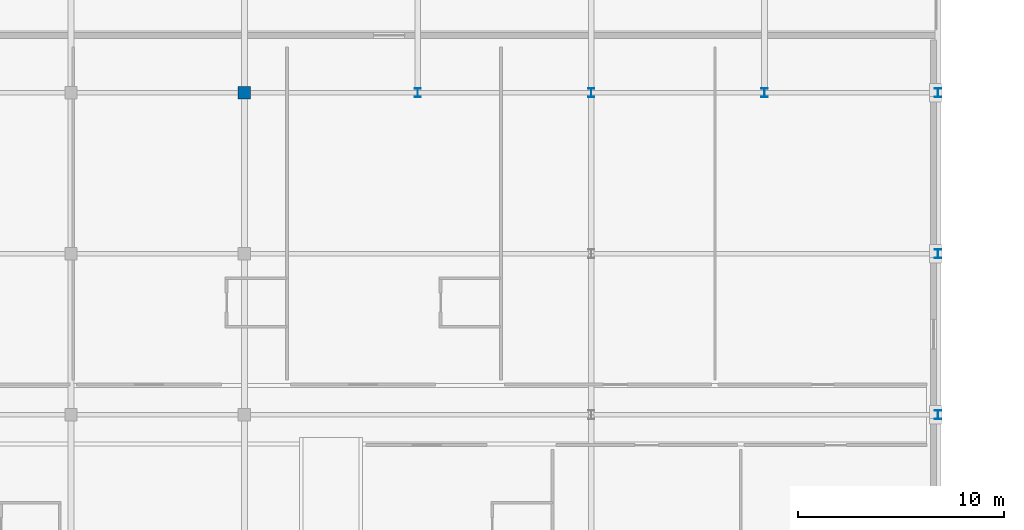
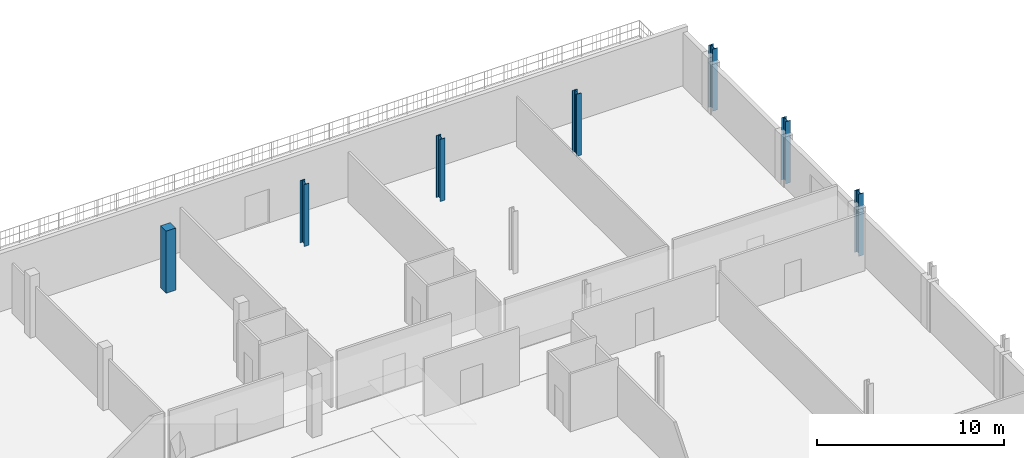
# One storey, part 5 of 25: 7 columns.
"""IFC4 building model written with IfcOpenShell, lengths in metres."""

import ifcopenshell
import ifcopenshell.guid

model = None  # the IFC model being written
_history = None  # IfcOwnerHistory: only IFC2X3 demands one
_inside = {}  # id of a spatial element -> (the spatial element, [elements in it])
_under = {}  # id of a project, library or spatial element -> (it, [spatial elements below it])
_declared = {}  # id of a project -> (the project, [libraries it declares])
_typed = {}  # id of a type object -> (the type object, [elements of that type])
_made_of = {}  # id of a material, layer set ... -> (it, [elements and type objects made of it])


def new_model(schema):
    """Start an empty IFC model of exactly this schema.

    Asked for "IFC4X3", IfcOpenShell would pick the latest addendum, in which some entities
    have other attributes; the version numbers below select the first issue.
    IFC2X3 requires an IfcOwnerHistory on every rooted entity: one is made here for all.
    """
    global model, _history
    if schema == "IFC4X3":
        model = ifcopenshell.file(schema_version=(4, 3, 0, 0))
    else:
        model = ifcopenshell.file(schema=schema)
    _inside.clear()
    _under.clear()
    _declared.clear()
    _typed.clear()
    _made_of.clear()
    _history = None
    if model.schema == "IFC2X3":
        org = make("IfcOrganization", Name="unknown")
        user = make(
            "IfcPersonAndOrganization",
            ThePerson=make("IfcPerson", FamilyName="unknown"),
            TheOrganization=org,
        )
        app = make(
            "IfcApplication",
            ApplicationDeveloper=org,
            Version="unknown",
            ApplicationFullName="unknown",
            ApplicationIdentifier="unknown",
        )
        _history = make(
            "IfcOwnerHistory",
            OwningUser=user,
            OwningApplication=app,
            ChangeAction="ADDED",
            CreationDate=0,
        )
    return model


def make(cls, **values):
    """One entity of the class cls with the attributes given. An attribute that is None is left unset."""
    return model.create_entity(
        cls, **{name: value for name, value in values.items() if value is not None}
    )


def rooted(cls, **values):
    """An entity with a GlobalId (a new one), such as an element, a storey or a relation."""
    return make(cls, GlobalId=ifcopenshell.guid.new(), OwnerHistory=_history, **values)


def si_unit(unit_type, name, prefix=None):
    """IfcSIUnit, for example si_unit("LENGTHUNIT", "METRE", prefix="MILLI")."""
    return make("IfcSIUnit", UnitType=unit_type, Prefix=prefix, Name=name)


def assignment(units):
    """IfcUnitAssignment: the units of a project."""
    return None if units is None else make("IfcUnitAssignment", Units=units)


def point(xyz):
    """IfcCartesianPoint."""
    return None if xyz is None else make("IfcCartesianPoint", Coordinates=xyz)


def direction(xyz):
    """IfcDirection."""
    return None if xyz is None else make("IfcDirection", DirectionRatios=xyz)


def frame(location, z_axis=None, x_axis=None):
    """IfcAxis2Placement3D, a coordinate frame: its origin and axes. An axis left out is left unset."""
    return make(
        "IfcAxis2Placement3D",
        Location=point(location),
        Axis=direction(z_axis),
        RefDirection=direction(x_axis),
    )


def frame_2d(location, x_axis=None):
    """IfcAxis2Placement2D, a coordinate frame in the plane: its origin and x axis."""
    return make(
        "IfcAxis2Placement2D", Location=point(location), RefDirection=direction(x_axis)
    )


def origin():
    """The frame at (0, 0, 0) with its axes left unset."""
    return frame((0.0, 0.0, 0.0))


def origin_2d():
    """The frame at (0, 0) in the plane with its x axis left unset."""
    return frame_2d((0.0, 0.0))


def place(relative_to, where):
    """IfcLocalPlacement: puts the frame where relative to a parent placement (None: the world)."""
    return make(
        "IfcLocalPlacement", PlacementRelTo=relative_to, RelativePlacement=where
    )


def context(
    kind, dimensions, precision=None, world=None, true_north=None, identifier=None
):
    """IfcGeometricRepresentationContext, for example the 3D "Model" context."""
    return make(
        "IfcGeometricRepresentationContext",
        ContextIdentifier=identifier,
        ContextType=kind,
        CoordinateSpaceDimension=dimensions,
        Precision=precision,
        WorldCoordinateSystem=world,
        TrueNorth=true_north,
    )


def subcontext(parent, identifier, kind, view, scale=None):
    """IfcGeometricRepresentationSubContext, for example "Body" below "Model"."""
    return make(
        "IfcGeometricRepresentationSubContext",
        ContextIdentifier=identifier,
        ContextType=kind,
        ParentContext=parent,
        TargetScale=scale,
        TargetView=view,
    )


def project(units=None, contexts=None):
    """IfcProject with its units and contexts."""
    return rooted(
        "IfcProject",
        Name="project",
        RepresentationContexts=contexts,
        UnitsInContext=assignment(units),
    )


def spatial(cls, under=None, at=None, **own):
    """A site, building, storey or space (cls), placed at a placement, below another one or the project."""
    s = rooted(cls, ObjectPlacement=at, **own)
    if under is not None:
        _under.setdefault(under.id(), (under, []))[1].append(s)
    return s


def profile(cls, at=None, kind="AREA", **sizes):
    """A parametric profile (cls). Its sizes go by their IFC names, for example OverallWidth=200.0."""
    return make(cls, ProfileType=kind, Position=at, **sizes)


def rectangle(**sizes):
    """IfcRectangleProfileDef."""
    return profile("IfcRectangleProfileDef", **sizes)


def i_section(**sizes):
    """IfcIShapeProfileDef."""
    return profile("IfcIShapeProfileDef", **sizes)


def extrude(swept, where, along, depth):
    """IfcExtrudedAreaSolid: the profile swept, set in the frame where, extruded along a direction by depth."""
    return make(
        "IfcExtrudedAreaSolid",
        SweptArea=swept,
        Position=where,
        ExtrudedDirection=direction(along),
        Depth=depth,
    )


def shape(context_of_items, identifier, shape_type, items):
    """IfcShapeRepresentation: the items that make up one representation, for example the "Body"."""
    return make(
        "IfcShapeRepresentation",
        ContextOfItems=context_of_items,
        RepresentationIdentifier=identifier,
        RepresentationType=shape_type,
        Items=items,
    )


def material(Name=None, Category=None):
    """IfcMaterial."""
    return make("IfcMaterial", Name=Name, Category=Category)


def material_profile(
    of_material, cross_section, Name=None, Category=None, Priority=None
):
    """IfcMaterialProfile: a cross section and its material."""
    return make(
        "IfcMaterialProfile",
        Name=Name,
        Material=of_material,
        Profile=cross_section,
        Priority=Priority,
        Category=Category,
    )


def profile_set(profiles, Name=None, composite=None):
    """IfcMaterialProfileSet."""
    return make(
        "IfcMaterialProfileSet",
        Name=Name,
        MaterialProfiles=profiles,
        CompositeProfile=composite,
    )


def made_of(thing, what):
    """Note that an element or type object is made of a material, layer set ...; save() writes the relation."""
    if what is not None:
        _made_of.setdefault(what.id(), (what, []))[1].append(thing)
    return thing


def type_object(cls, material=None, **own):
    """A type object (cls), such as IfcWallType, which elements share."""
    return made_of(rooted(cls, **own), material)


def element(
    cls,
    number,
    at=None,
    inside=None,
    cuts=None,
    type_object=None,
    material=None,
    context=None,
    identifier="Body",
    shape_type=None,
    held_by="IfcProductDefinitionShape",
    body=None,
    shapes=None,
    **own,
):
    """One element of the class cls, such as IfcWall. Its Tag is "e" and its number.

    at: its placement. inside: the storey or other place that contains it. cuts: it is an
    opening in that element (IfcRelVoidsElement). A single representation is given by context,
    identifier, shape_type and body (its items); several are given by shapes. held_by: the class
    of the entity that holds the representations. save() writes the other relations.
    """
    e = rooted(cls, Tag="e%d" % number, ObjectPlacement=at, **own)
    if body is not None:
        shapes = [shape(context, identifier, shape_type, body)]
    if shapes is not None:
        e.Representation = make(held_by, Representations=shapes)
    if inside is not None:
        _inside.setdefault(inside.id(), (inside, []))[1].append(e)
    if cuts is not None:
        rooted(
            "IfcRelVoidsElement", RelatingBuildingElement=cuts, RelatedOpeningElement=e
        )
    if type_object is not None:
        _typed.setdefault(type_object.id(), (type_object, []))[1].append(e)
    return made_of(e, material)


def aggregate(whole, parts):
    """IfcRelAggregates: a whole, such as a stair, and the parts it consists of."""
    return rooted("IfcRelAggregates", RelatingObject=whole, RelatedObjects=parts)


def save(model, path):
    """Write the relations noted so far, then the file.

    IfcRelAggregates (storeys below a building ...), IfcRelContainedInSpatialStructure (elements
    in a storey), IfcRelDefinesByType, IfcRelAssociatesMaterial and IfcRelDeclares: one each for
    every whole, place, type object, material and project.
    """
    for whole, parts in _under.values():
        aggregate(whole, parts)
    for where, things in _inside.values():
        rooted(
            "IfcRelContainedInSpatialStructure",
            RelatedElements=things,
            RelatingStructure=where,
        )
    for kind, things in _typed.values():
        rooted("IfcRelDefinesByType", RelatedObjects=things, RelatingType=kind)
    for what, things in _made_of.values():
        rooted("IfcRelAssociatesMaterial", RelatedObjects=things, RelatingMaterial=what)
    for by, libraries in _declared.values():
        rooted("IfcRelDeclares", RelatingContext=by, RelatedDefinitions=libraries)
    model.write(path)


model = new_model("IFC4")

# Units and contexts
model_context = context("Model", 3, precision=1e-05, world=origin(), true_north=direction((0.0, 1.0)))
body_context = subcontext(model_context, "Body", "Model", "MODEL_VIEW")
ifc_project = project(units=[si_unit("LENGTHUNIT", "METRE"), si_unit("AREAUNIT", "SQUARE_METRE"), si_unit("VOLUMEUNIT", "CUBIC_METRE"), si_unit("PLANEANGLEUNIT", "RADIAN"), si_unit("MASSUNIT", "GRAM", prefix="KILO")], contexts=[model_context])

# Site, building, storey
site_placement = place(None, origin())
site = spatial("IfcSite", under=ifc_project, at=site_placement, CompositionType="ELEMENT")
building_placement = place(site_placement, origin())
building = spatial("IfcBuilding", under=site, at=building_placement, Name="Nabrawat Pavilion Hospital", CompositionType="ELEMENT")
storey_placement = place(building_placement, frame((0.0, 0.0, 22.949951171875)))
storey = spatial("IfcBuildingStorey", under=building, at=storey_placement, Name="L05", CompositionType="ELEMENT", Elevation=22.949951171875)

# Columns
ifc_material_1 = material(Name="Steel S355", Category="steel")
ifc_material_profile_1 = material_profile(ifc_material_1, i_section(OverallWidth=0.300048828125, OverallDepth=0.449951171875, WebThickness=0.013916015625, FlangeThickness=0.02587890625, FilletRadius=0.027099609375, at=origin_2d()), Name="HEB 450")
ifc_profile_set_1 = profile_set([ifc_material_profile_1], Name="Steel S355")
column_type_1 = type_object("IfcColumnType", Name="Composite Steel Column HEB 450", PredefinedType="COLUMN", material=ifc_profile_set_1)
for number, where, z_axis, x_axis, name in (
    (1, (168.0, 117.0, 0.0), (0.0, 0.0, 1.0), (1.0, 0.0, 0.0), "L05 Structural Column G-21-R"),
    (2, (176.39990234375, 117.0, 0.0), (0.0, 0.0, 1.0), (1.0, 0.0, 0.0), "L05 Structural Column G-22-R"),
    (3, (184.800048828125, 117.0, 0.0), (0.0, 0.0, 1.0), (1.0, 0.0, 0.0), "L05 Structural Column G-23-R"),
    (4, (193.199951171875, 101.39990234375, 0.0), (0.0, 0.0, 1.0), (1.0, 0.0, 0.0), "L05 Structural Column G-24-P"),
    (5, (193.199951171875, 109.199951171875, 0.0), (0.0, 0.0, 1.0), (1.0, 0.0, 0.0), "L05 Structural Column G-24-Q"),
    (6, (193.199951171875, 117.0, 0.0), (0.0, 0.0, 1.0), (1.0, 0.0, 0.0), "L05 Structural Column G-24-R"),
):
    element("IfcColumn", number, at=place(storey_placement, frame(where, z_axis=z_axis, x_axis=x_axis)), inside=storey, type_object=column_type_1, Name=name, PredefinedType="COLUMN", context=body_context, shape_type="SweptSolid", body=[
        extrude(i_section(OverallWidth=0.300048828125, OverallDepth=0.449951171875, WebThickness=0.013916015625, FlangeThickness=0.02587890625, FilletRadius=0.027099609375, at=origin_2d()), origin(), (0.0, 0.0, 1.0), 4.050048828125),
    ])
ifc_material_2 = material(Name="Concrete C40/50", Category="concrete")
ifc_material_profile_2 = material_profile(ifc_material_2, rectangle(XDim=0.60009765625, YDim=0.60009765625, at=origin_2d()), Name="RC 600x600")
ifc_profile_set_2 = profile_set([ifc_material_profile_2], Name="Concrete C40/50")
column_type_2 = type_object("IfcColumnType", Name="Upper Ward RC Column 600x600", PredefinedType="COLUMN", material=ifc_profile_set_2)
column_placement = place(storey_placement, frame((159.60009765625, 117.0, 0.0), z_axis=(0.0, 0.0, 1.0), x_axis=(1.0, 0.0, 0.0)))
element("IfcColumn", 7, at=column_placement, inside=storey, type_object=column_type_2, Name="L05 Structural Column G-20-R", PredefinedType="COLUMN", context=body_context, shape_type="SweptSolid", body=[
    extrude(rectangle(XDim=0.60009765625, YDim=0.60009765625, at=origin_2d()), origin(), (0.0, 0.0, 1.0), 4.050048828125),
])

save(model, "model.ifc")
